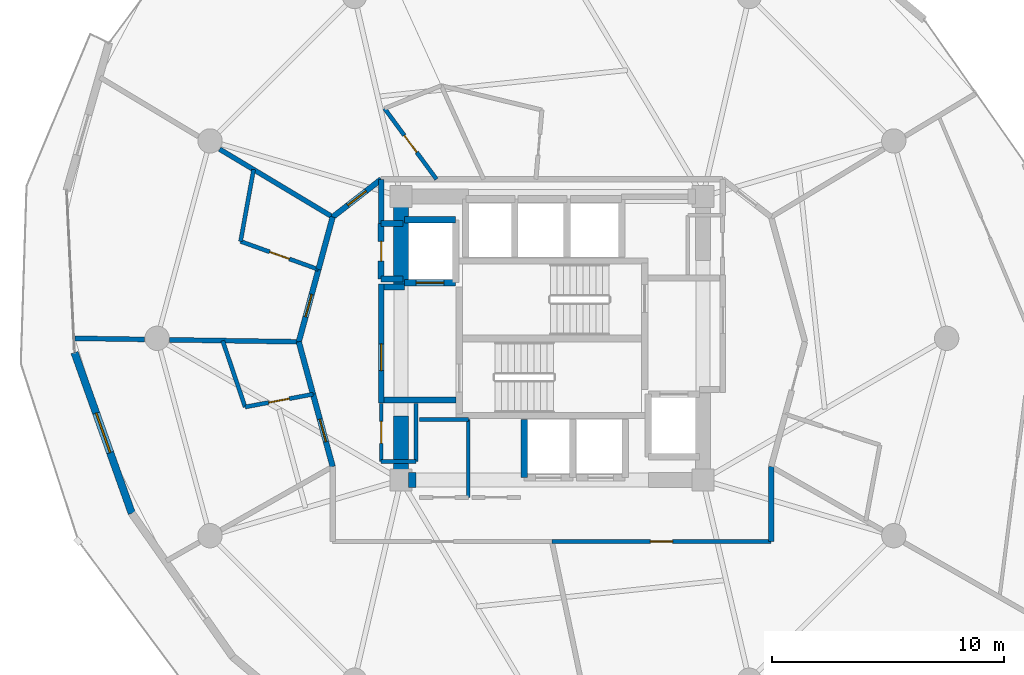
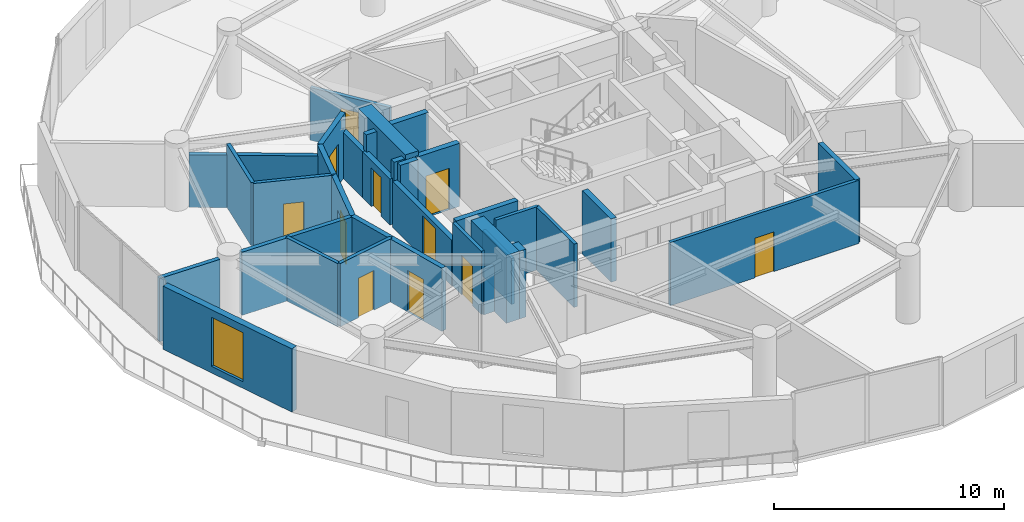
# One storey, part 18 of 22: 34 walls, 11 doors, 1 window, 12 openings.
"""IFC4 building model written with IfcOpenShell, lengths in metres."""

from ifc_helpers import new_model, si_unit, direction, frame, frame_2d, origin, place, context, subcontext, project, spatial, rectangle, extrude, material, layer, layer_set, type_object, element, fill, save


model = new_model("IFC4")

# Units and contexts
model_context = context("Model", 3, precision=1e-05, world=origin(), true_north=direction((0.0, 1.0)))
body_context = subcontext(model_context, "Body", "Model", "MODEL_VIEW")
ifc_project = project(units=[si_unit("LENGTHUNIT", "METRE"), si_unit("AREAUNIT", "SQUARE_METRE"), si_unit("VOLUMEUNIT", "CUBIC_METRE"), si_unit("PLANEANGLEUNIT", "RADIAN"), si_unit("MASSUNIT", "GRAM", prefix="KILO")], contexts=[model_context])

# Site, building, storey
site_placement = place(None, origin())
site = spatial("IfcSite", under=ifc_project, at=site_placement, CompositionType="ELEMENT")
building_placement = place(site_placement, origin())
building = spatial("IfcBuilding", under=site, at=building_placement, Name="Solvirekh Grand Hotel", CompositionType="ELEMENT")
storey_placement = place(building_placement, frame((0.0, 0.0, 153.0)))
storey = spatial("IfcBuildingStorey", under=building, at=storey_placement, Name="L39", CompositionType="ELEMENT", Elevation=153.0)

# Wall
ifc_material_1 = material(Name="Concrete C40/50", Category="concrete")
ifc_layer_1 = layer(ifc_material_1, 0.280029296875)
ifc_layer_set_1 = layer_set([ifc_layer_1], Name="Concrete C40/50")
wall_type_1 = type_object("IfcWallType", Name="CoreShaftWall_RC280", PredefinedType="SOLIDWALL", material=ifc_layer_set_1)
wall_1_placement = place(storey_placement, frame((-1.199951171875, -3.5, 0.0), z_axis=(0.0, 0.0, 1.0), x_axis=(0.0, -1.0, 0.0)))
element("IfcWall", 1, at=wall_1_placement, inside=storey, type_object=wall_type_1, Name="L39 MP-1 hoistway W wall", PredefinedType="SOLIDWALL", context=body_context, shape_type="SweptSolid", body=[
    extrude(rectangle(XDim=2.5, YDim=0.280029296875, at=frame_2d((1.25, 0.0))), origin(), (0.0, 0.0, 1.0), 3.35009765625),
])

# Wall, opening, door
wall_2_placement = place(storey_placement, frame((-6.35009765625, 2.39990234375, 0.0), z_axis=(0.0, 0.0, 1.0), x_axis=(1.0, 0.0, 0.0)))
wall_2 = element("IfcWall", 2, at=wall_2_placement, inside=storey, type_object=wall_type_1, Name="L39 FL-1 hoistway S wall", PredefinedType="SOLIDWALL", context=body_context, shape_type="SweptSolid", body=[
    extrude(rectangle(XDim=2.2001953125, YDim=0.280029296875, at=frame_2d((1.10009765625, 0.0))), origin(), (0.0, 0.0, 1.0), 3.35009765625),
])
opening_1_placement = place(wall_2_placement, frame((0.5, 0.0, 0.0)))
opening_1 = element("IfcOpeningElement", 3, at=opening_1_placement, cuts=wall_2, Name="Opening LD02", PredefinedType="OPENING", context=body_context, shape_type="SweptSolid", body=[
    extrude(rectangle(XDim=1.199951171875, YDim=2.199951171875, at=frame_2d((0.60009765625, 1.10009765625))), frame((0.0, 0.14990234375, 0.0), z_axis=(0.0, -1.0, 0.0), x_axis=(1.0, 0.0, 0.0)), (0.0, 0.0, 1.0), 0.300048828125),
])
ifc_material_2 = material(Name="Fire-Rated Steel Door Assembly", Category="steel")
door_type_1 = type_object("IfcDoorType", Name="Door_LiftFF_1200X2200", OperationType="SLIDING_TO_LEFT", PredefinedType="DOOR", material=ifc_material_2)
door_1_placement = place(opening_1_placement, origin())
door_1 = element("IfcDoor", 4, at=door_1_placement, inside=storey, type_object=door_type_1, Name="L39 FL-1 sliding lift landing door", OperationType="SLIDING_TO_LEFT", OverallHeight=2.199951171875, OverallWidth=1.199951171875, PredefinedType="DOOR", context=body_context, shape_type="SweptSolid", body=[
    extrude(rectangle(XDim=1.199951171875, YDim=2.199951171875, at=frame_2d((0.60009765625, 1.10009765625))), frame((0.0, 0.02490234375, 0.0), z_axis=(0.0, -1.0, 0.0), x_axis=(1.0, 0.0, 0.0)), (0.0, 0.0, 1.0), 0.050048828125),
])
fill(opening_1, door_1)

# Walls
wall_3_placement = place(storey_placement, frame((-4.14990234375, 5.10009765625, 0.0), z_axis=(0.0, 0.0, 1.0), x_axis=(-1.0, 0.0, 0.0)))
element("IfcWall", 5, at=wall_3_placement, inside=storey, type_object=wall_type_1, Name="L39 FL-1 hoistway N wall", PredefinedType="SOLIDWALL", context=body_context, shape_type="SweptSolid", body=[
    extrude(rectangle(XDim=2.2001953125, YDim=0.280029296875, at=frame_2d((1.10009765625, 0.0))), origin(), (0.0, 0.0, 1.0), 3.35009765625),
])
ifc_material_3 = material(Name="Concrete C50/60", Category="concrete")
ifc_layer_2 = layer(ifc_material_3, 0.64990234375)
ifc_layer_set_2 = layer_set([ifc_layer_2], Name="Concrete C50/60")
wall_type_2 = type_object("IfcWallType", Name="CoreWall_RC650", PredefinedType="SHEAR", material=ifc_layer_set_2)
wall_4_placement = place(storey_placement, frame((-6.175048828125, -6.10009765625, 0.0), z_axis=(0.0, 0.0, 1.0), x_axis=(1.0, 0.0, 0.0)))
element("IfcWall", 6, at=wall_4_placement, inside=storey, type_object=wall_type_2, Name="L39 core corner shear wall SW-S", PredefinedType="SHEAR", context=body_context, shape_type="SweptSolid", body=[
    extrude(rectangle(XDim=0.324951171875, YDim=0.64990234375, at=frame_2d((0.16259765625, 0.0))), origin(), (0.0, 0.0, 1.0), 3.60009765625),
])
wall_5_placement = place(storey_placement, frame((-6.5, 2.35009765625, 0.0), z_axis=(0.0, 0.0, 1.0), x_axis=(0.0, 1.0, 0.0)))
element("IfcWall", 7, at=wall_5_placement, inside=storey, type_object=wall_type_2, Name="L39 core corner shear wall WN-W", PredefinedType="SHEAR", context=body_context, shape_type="SweptSolid", body=[
    extrude(rectangle(XDim=4.074951171875, YDim=0.64990234375, at=frame_2d((2.03759765625, 0.0))), origin(), (0.0, 0.0, 1.0), 3.60009765625),
])
wall_6_placement = place(storey_placement, frame((-6.5, -6.425048828125, 0.0), z_axis=(0.0, 0.0, 1.0), x_axis=(0.0, 1.0, 0.0)))
element("IfcWall", 8, at=wall_6_placement, inside=storey, type_object=wall_type_2, Name="L39 core corner shear wall WS-W", PredefinedType="SHEAR", context=body_context, shape_type="SweptSolid", body=[
    extrude(rectangle(XDim=3.074951171875, YDim=0.64990234375, at=frame_2d((1.53759765625, 0.0))), origin(), (0.0, 0.0, 1.0), 3.60009765625),
])

# Wall, opening, window
ifc_material_4 = material(Name="Precast concrete C45/55", Category="concrete")
ifc_layer_3 = layer(ifc_material_4, 0.320068359375)
ifc_layer_set_3 = layer_set([ifc_layer_3], Name="Precast concrete C45/55")
wall_type_3 = type_object("IfcWallType", Name="ExtLobbyWall_RC320", PredefinedType="SOLIDWALL", material=ifc_layer_set_3)
wall_7_placement = place(storey_placement, frame((-18.093017578125, -7.532958984375, 0.0), z_axis=(0.0, 0.0, 1.0), x_axis=(-0.335384656609, 0.942081276808, 0.0)))
wall_7 = element("IfcWall", 9, at=wall_7_placement, inside=storey, type_object=wall_type_3, Name="L39 exterior structural wall chord 14", PredefinedType="SOLIDWALL", context=body_context, shape_type="SweptSolid", body=[
    extrude(rectangle(XDim=7.346435546875, YDim=0.320068359375, at=frame_2d((3.67333984375, 0.0))), origin(), (0.0, 0.0, 1.0), 3.35009765625),
])
opening_2_placement = place(wall_7_placement, frame((2.77294921875, 0.0, 0.35009765625)))
opening_2 = element("IfcOpeningElement", 10, at=opening_2_placement, cuts=wall_7, Name="Opening W02", PredefinedType="OPENING", context=body_context, shape_type="SweptSolid", body=[
    extrude(rectangle(XDim=1.800048828125, YDim=2.60009765625, at=frame_2d((0.89990234375, 1.300048828125))), frame((0.0, 0.169921875, 0.0), z_axis=(0.0, -1.0, 0.0), x_axis=(1.0, 0.0, 0.0)), (0.0, 0.0, 1.0), 0.340087890625),
])
ifc_material_5 = material(Name="Low-E Tinted Bronze Laminated Glass", Category="aluminium")
window_type = type_object("IfcWindowType", Name="Win_LobbyExt_1800X2600", PartitioningType="SINGLE_PANEL", PredefinedType="WINDOW", material=ifc_material_5)
window_placement = place(opening_2_placement, origin())
window = element("IfcWindow", 11, at=window_placement, inside=storey, type_object=window_type, Name="L39 panoramic bronze-framed window 14", OverallHeight=2.60009765625, OverallWidth=1.800048828125, PartitioningType="SINGLE_PANEL", PredefinedType="WINDOW", context=body_context, shape_type="SweptSolid", body=[
    extrude(rectangle(XDim=1.800048828125, YDim=2.60009765625, at=frame_2d((0.89990234375, 1.300048828125))), frame((0.0, 0.030029296875, 0.0), z_axis=(0.0, -1.0, 0.0), x_axis=(1.0, 0.0, 0.0)), (0.0, 0.0, 1.0), 0.06005859375),
])
fill(opening_2, window)

# Walls
ifc_material_6 = material(Name="Acoustic Gypsum Partition Assembly")
ifc_layer_4 = layer(ifc_material_6, 0.1650390625)
ifc_layer_set_4 = layer_set([ifc_layer_4], Name="Acoustic Gypsum Partition Assembly")
wall_type_4 = type_object("IfcWallType", Name="Part_BOH_165", PredefinedType="PARTITIONING", material=ifc_layer_set_4)
wall_8_placement = place(storey_placement, frame((-7.35009765625, -5.300048828125, 0.0), z_axis=(0.0, 0.0, 1.0), x_axis=(1.0, 0.0, 0.0)))
element("IfcWall", 12, at=wall_8_placement, inside=storey, type_object=wall_type_4, Name="L39 L39 Core Linen Store wall 1", PredefinedType="PARTITIONING", context=body_context, shape_type="SweptSolid", body=[
    extrude(rectangle(XDim=1.5, YDim=0.1650390625, at=frame_2d((0.75, 0.0))), origin(), (0.0, 0.0, 1.0), 2.43505859375),
])
wall_9_placement = place(storey_placement, frame((-5.85009765625, -5.300048828125, 0.0), z_axis=(0.0, 0.0, 1.0), x_axis=(0.0, 1.0, 0.0)))
element("IfcWall", 13, at=wall_9_placement, inside=storey, type_object=wall_type_4, Name="L39 L39 Core Linen Store wall 2", PredefinedType="PARTITIONING", context=body_context, shape_type="SweptSolid", body=[
    extrude(rectangle(XDim=2.5, YDim=0.1650390625, at=frame_2d((1.25, 0.0))), origin(), (0.0, 0.0, 1.0), 2.43505859375),
])

# Wall, opening, door
wall_10_placement = place(storey_placement, frame((-7.35009765625, -2.800048828125, 0.0), z_axis=(0.0, 0.0, 1.0), x_axis=(0.0, -1.0, 0.0)))
wall_10 = element("IfcWall", 14, at=wall_10_placement, inside=storey, type_object=wall_type_4, Name="L39 L39 Core Linen Store wall 4", PredefinedType="PARTITIONING", context=body_context, shape_type="SweptSolid", body=[
    extrude(rectangle(XDim=2.5, YDim=0.1650390625, at=frame_2d((1.25, 0.0))), origin(), (0.0, 0.0, 1.0), 3.35009765625),
])
opening_3_placement = place(wall_10_placement, frame((0.77490234375, 0.0, 0.0)))
opening_3 = element("IfcOpeningElement", 15, at=opening_3_placement, cuts=wall_10, Name="Opening D10", PredefinedType="OPENING", context=body_context, shape_type="SweptSolid", body=[
    extrude(rectangle(XDim=0.949951171875, YDim=2.10009765625, at=frame_2d((0.47509765625, 1.050048828125))), frame((0.0, 0.092529296875, 0.0), z_axis=(0.0, -1.0, 0.0), x_axis=(1.0, 0.0, 0.0)), (0.0, 0.0, 1.0), 0.18505859375),
])
ifc_material_7 = material(Name="Anodized Bronze Aluminium 6063-T6", Category="aluminium")
door_type_2 = type_object("IfcDoorType", Name="Door_RoomInt_950X2100", OperationType="NOTDEFINED", PredefinedType="DOOR", material=ifc_material_7)
door_2_placement = place(opening_3_placement, origin())
door_2 = element("IfcDoor", 16, at=door_2_placement, inside=storey, type_object=door_type_2, Name="L39 L39 Core Linen Store door", OperationType="SINGLE_SWING_RIGHT", OverallHeight=2.10009765625, OverallWidth=0.949951171875, PredefinedType="DOOR", context=body_context, shape_type="SweptSolid", body=[
    extrude(rectangle(XDim=0.949951171875, YDim=2.10009765625, at=frame_2d((0.47509765625, 1.050048828125))), frame((0.0, 0.02490234375, 0.0), z_axis=(0.0, -1.0, 0.0), x_axis=(1.0, 0.0, 0.0)), (0.0, 0.0, 1.0), 0.050048828125),
])
fill(opening_3, door_2)

# Walls
wall_11_placement = place(storey_placement, frame((-3.60009765625, -6.85009765625, 0.0), z_axis=(0.0, 0.0, 1.0), x_axis=(0.0, 1.0, 0.0)))
element("IfcWall", 17, at=wall_11_placement, inside=storey, type_object=wall_type_4, Name="L39 Mid-Zone Housekeeping Store wall 2", PredefinedType="PARTITIONING", context=body_context, shape_type="SweptSolid", body=[
    extrude(rectangle(XDim=3.35009765625, YDim=0.1650390625, at=frame_2d((1.675048828125, 0.0))), origin(), (0.0, 0.0, 1.0), 3.35009765625),
])
wall_12_placement = place(storey_placement, frame((-3.60009765625, -3.5, 0.0), z_axis=(0.0, 0.0, 1.0), x_axis=(-1.0, 0.0, 0.0)))
element("IfcWall", 18, at=wall_12_placement, inside=storey, type_object=wall_type_4, Name="L39 Mid-Zone Housekeeping Store wall 3", PredefinedType="PARTITIONING", context=body_context, shape_type="SweptSolid", body=[
    extrude(rectangle(XDim=2.099853515625, YDim=0.1650390625, at=frame_2d((1.0498046875, 0.0))), origin(), (0.0, 0.0, 1.0), 3.35009765625),
])

# Wall, opening, door
wall_13_placement = place(storey_placement, frame((0.0, -8.75, 0.0), z_axis=(0.0, 0.0, 1.0), x_axis=(1.0, 0.0, 0.0)))
wall_13 = element("IfcWall", 19, at=wall_13_placement, inside=storey, type_object=wall_type_4, Name="L39 L39 Butler Valet & Linen Steward Room entrance wall", PredefinedType="PARTITIONING", context=body_context, shape_type="SweptSolid", body=[
    extrude(rectangle(XDim=9.43994140625, YDim=0.1650390625, at=frame_2d((4.719970703125, 0.0))), origin(), (0.0, 0.0, 1.0), 3.35009765625),
])
opening_4_placement = place(wall_13_placement, frame((4.2451171875, 0.0, 0.0)))
opening_4 = element("IfcOpeningElement", 20, at=opening_4_placement, cuts=wall_13, Name="Opening D10", PredefinedType="OPENING", context=body_context, shape_type="SweptSolid", body=[
    extrude(rectangle(XDim=0.949951171875, YDim=2.10009765625, at=frame_2d((0.47509765625, 1.050048828125))), frame((0.0, 0.092529296875, 0.0), z_axis=(0.0, -1.0, 0.0), x_axis=(1.0, 0.0, 0.0)), (0.0, 0.0, 1.0), 0.18505859375),
])
door_3_placement = place(opening_4_placement, origin())
door_3 = element("IfcDoor", 21, at=door_3_placement, inside=storey, type_object=door_type_2, Name="L39 L39 Butler Valet & Linen Steward Room entrance door", OperationType="SINGLE_SWING_LEFT", OverallHeight=2.10009765625, OverallWidth=0.949951171875, PredefinedType="DOOR", context=body_context, shape_type="SweptSolid", body=[
    extrude(rectangle(XDim=0.949951171875, YDim=2.10009765625, at=frame_2d((0.47509765625, 1.050048828125))), frame((0.0, 0.02490234375, 0.0), z_axis=(0.0, -1.0, 0.0), x_axis=(1.0, 0.0, 0.0)), (0.0, 0.0, 1.0), 0.050048828125),
])
fill(opening_4, door_3)

ifc_layer_5 = layer(ifc_material_6, 0.239990234375)
ifc_layer_set_5 = layer_set([ifc_layer_5], Name="Acoustic Gypsum Partition Assembly")
wall_type_5 = type_object("IfcWallType", Name="Part_Corridor_240", PredefinedType="PARTITIONING", material=ifc_layer_set_5)
wall_14_placement = place(storey_placement, frame((-7.35009765625, -2.780029296875, 0.0), z_axis=(0.0, 0.0, 1.0), x_axis=(0.0, 1.0, 0.0)))
wall_14 = element("IfcWall", 22, at=wall_14_placement, inside=storey, type_object=wall_type_5, Name="L39 west firefighting lobby smoke screen wall", PredefinedType="PARTITIONING", context=body_context, shape_type="SweptSolid", body=[
    extrude(rectangle(XDim=5.1201171875, YDim=0.239990234375, at=frame_2d((2.56005859375, 0.0))), origin(), (0.0, 0.0, 1.0), 2.43505859375),
])
opening_5_placement = place(wall_14_placement, frame((1.388916015625, 0.0, 0.0)))
opening_5 = element("IfcOpeningElement", 23, at=opening_5_placement, cuts=wall_14, Name="Opening D06", PredefinedType="OPENING", context=body_context, shape_type="SweptSolid", body=[
    extrude(rectangle(XDim=1.14990234375, YDim=2.199951171875, at=frame_2d((0.574951171875, 1.10009765625))), frame((0.0, 0.1298828125, 0.0), z_axis=(0.0, -1.0, 0.0), x_axis=(1.0, 0.0, 0.0)), (0.0, 0.0, 1.0), 0.260009765625),
])
door_type_3 = type_object("IfcDoorType", Name="Door_FFLobby_1150X2200", OperationType="NOTDEFINED", PredefinedType="DOOR", material=ifc_material_2)
door_4_placement = place(opening_5_placement, origin())
door_4 = element("IfcDoor", 24, at=door_4_placement, inside=storey, type_object=door_type_3, Name="L39 west firefighting lobby smoke door", OperationType="SINGLE_SWING_LEFT", OverallHeight=2.199951171875, OverallWidth=1.14990234375, PredefinedType="DOOR", context=body_context, shape_type="SweptSolid", body=[
    extrude(rectangle(XDim=1.14990234375, YDim=2.199951171875, at=frame_2d((0.574951171875, 1.10009765625))), frame((0.0, 0.02490234375, 0.0), z_axis=(0.0, -1.0, 0.0), x_axis=(1.0, 0.0, 0.0)), (0.0, 0.0, 1.0), 0.050048828125),
])
fill(opening_5, door_4)

# Wall
wall_15_placement = place(storey_placement, frame((-7.35009765625, 4.949951171875, 0.0), z_axis=(0.0, 0.0, 1.0), x_axis=(0.0, 1.0, 0.0)))
element("IfcWall", 25, at=wall_15_placement, inside=storey, type_object=wall_type_5, Name="L39 NW core cheek closure wall", PredefinedType="PARTITIONING", context=body_context, shape_type="SweptSolid", body=[
    extrude(rectangle(XDim=1.900146484375, YDim=0.239990234375, at=frame_2d((0.9501953125, 0.0))), origin(), (0.0, 0.0, 1.0), 2.43505859375),
])

# Wall, opening, door
wall_16_placement = place(storey_placement, frame((-9.43994140625, 5.22509765625, 0.0), z_axis=(0.0, 0.0, 1.0), x_axis=(0.789431664708, 0.613838453306, 0.0)))
wall_16 = element("IfcWall", 26, at=wall_16_placement, inside=storey, type_object=wall_type_5, Name="L39 Deluxe Guestroom 4102 entrance wall", PredefinedType="PARTITIONING", context=body_context, shape_type="SweptSolid", body=[
    extrude(rectangle(XDim=2.647216796875, YDim=0.239990234375, at=frame_2d((1.32373046875, 0.0))), origin(), (0.0, 0.0, 1.0), 3.35009765625),
])
opening_6_placement = place(wall_16_placement, frame((0.823974609375, 0.0, 0.0)))
opening_6 = element("IfcOpeningElement", 27, at=opening_6_placement, cuts=wall_16, Name="Opening D07", PredefinedType="OPENING", context=body_context, shape_type="SweptSolid", body=[
    extrude(rectangle(XDim=1.0, YDim=2.199951171875, at=frame_2d((0.5, 1.10009765625))), frame((0.0, 0.1298828125, 0.0), z_axis=(0.0, -1.0, 0.0), x_axis=(1.0, 0.0, 0.0)), (0.0, 0.0, 1.0), 0.260009765625),
])
door_type_4 = type_object("IfcDoorType", Name="Door_GuestEntry_1000X2200", OperationType="NOTDEFINED", PredefinedType="DOOR", material=ifc_material_2)
door_5_placement = place(opening_6_placement, origin())
door_5 = element("IfcDoor", 28, at=door_5_placement, inside=storey, type_object=door_type_4, Name="L39 Deluxe Guestroom 4102 entrance door", OperationType="SINGLE_SWING_LEFT", OverallHeight=2.199951171875, OverallWidth=1.0, PredefinedType="DOOR", context=body_context, shape_type="SweptSolid", body=[
    extrude(rectangle(XDim=1.0, YDim=2.199951171875, at=frame_2d((0.5, 1.10009765625))), frame((0.0, 0.02490234375, 0.0), z_axis=(0.0, -1.0, 0.0), x_axis=(1.0, 0.0, 0.0)), (0.0, 0.0, 1.0), 0.050048828125),
])
fill(opening_6, door_5)

# Wall
wall_17_placement = place(storey_placement, frame((-9.43994140625, 5.22509765625, 0.0), z_axis=(0.0, 0.0, 1.0), x_axis=(-0.262004776073, -0.965066576623, 0.0)))
element("IfcWall", 29, at=wall_17_placement, inside=storey, type_object=wall_type_5, Name="L39 En-suite Bathroom 4103 corridor backing wall", PredefinedType="PARTITIONING", context=body_context, shape_type="SweptSolid", body=[
    extrude(rectangle(XDim=2.33984375, YDim=0.239990234375, at=frame_2d((1.169921875, 0.0))), origin(), (0.0, 0.0, 1.0), 3.35009765625),
])

# Wall, opening, door
wall_18_placement = place(storey_placement, frame((-10.052978515625, 2.967041015625, 0.0), z_axis=(0.0, 0.0, 1.0), x_axis=(-0.262209089996, -0.965011084456, 0.0)))
wall_18 = element("IfcWall", 30, at=wall_18_placement, inside=storey, type_object=wall_type_5, Name="L39 Deluxe Guestroom 4103 entrance wall", PredefinedType="PARTITIONING", context=body_context, shape_type="SweptSolid", body=[
    extrude(rectangle(XDim=3.22998046875, YDim=0.239990234375, at=frame_2d((1.614990234375, 0.0))), origin(), (0.0, 0.0, 1.0), 3.35009765625),
])
opening_7_placement = place(wall_18_placement, frame((1.114990234375, 0.0, 0.0)))
opening_7 = element("IfcOpeningElement", 31, at=opening_7_placement, cuts=wall_18, Name="Opening D07", PredefinedType="OPENING", context=body_context, shape_type="SweptSolid", body=[
    extrude(rectangle(XDim=1.0, YDim=2.199951171875, at=frame_2d((0.5, 1.10009765625))), frame((0.0, 0.1298828125, 0.0), z_axis=(0.0, -1.0, 0.0), x_axis=(1.0, 0.0, 0.0)), (0.0, 0.0, 1.0), 0.260009765625),
])
door_6_placement = place(opening_7_placement, origin())
door_6 = element("IfcDoor", 32, at=door_6_placement, inside=storey, type_object=door_type_4, Name="L39 Deluxe Guestroom 4103 entrance door", OperationType="SINGLE_SWING_LEFT", OverallHeight=2.199951171875, OverallWidth=1.0, PredefinedType="DOOR", context=body_context, shape_type="SweptSolid", body=[
    extrude(rectangle(XDim=1.0, YDim=2.199951171875, at=frame_2d((0.5, 1.10009765625))), frame((0.0, 0.02490234375, 0.0), z_axis=(0.0, -1.0, 0.0), x_axis=(1.0, 0.0, 0.0)), (0.0, 0.0, 1.0), 0.050048828125),
])
fill(opening_7, door_6)

# Wall
wall_19_placement = place(storey_placement, frame((-10.89990234375, -0.14990234375, 0.0), z_axis=(0.0, 0.0, 1.0), x_axis=(0.262013132791, -0.965064307829, 0.0)))
element("IfcWall", 33, at=wall_19_placement, inside=storey, type_object=wall_type_5, Name="L39 En-suite Bathroom 4104 corridor backing wall", PredefinedType="PARTITIONING", context=body_context, shape_type="SweptSolid", body=[
    extrude(rectangle(XDim=2.3388671875, YDim=0.239990234375, at=frame_2d((1.16943359375, 0.0))), origin(), (0.0, 0.0, 1.0), 3.35009765625),
])

# Wall, opening, door
wall_20_placement = place(storey_placement, frame((-10.287109375, -2.406982421875, 0.0), z_axis=(0.0, 0.0, 1.0), x_axis=(0.262202977539, -0.965012745289, 0.0)))
wall_20 = element("IfcWall", 34, at=wall_20_placement, inside=storey, type_object=wall_type_5, Name="L39 Deluxe Guestroom 4104 entrance wall", PredefinedType="PARTITIONING", context=body_context, shape_type="SweptSolid", body=[
    extrude(rectangle(XDim=3.23095703125, YDim=0.239990234375, at=frame_2d((1.615478515625, 0.0))), origin(), (0.0, 0.0, 1.0), 3.35009765625),
])
opening_8_placement = place(wall_20_placement, frame((1.114990234375, 0.0, 0.0)))
opening_8 = element("IfcOpeningElement", 35, at=opening_8_placement, cuts=wall_20, Name="Opening D07", PredefinedType="OPENING", context=body_context, shape_type="SweptSolid", body=[
    extrude(rectangle(XDim=1.0, YDim=2.199951171875, at=frame_2d((0.5, 1.10009765625))), frame((0.0, 0.1298828125, 0.0), z_axis=(0.0, -1.0, 0.0), x_axis=(1.0, 0.0, 0.0)), (0.0, 0.0, 1.0), 0.260009765625),
])
door_7_placement = place(opening_8_placement, origin())
door_7 = element("IfcDoor", 36, at=door_7_placement, inside=storey, type_object=door_type_4, Name="L39 Deluxe Guestroom 4104 entrance door", OperationType="SINGLE_SWING_LEFT", OverallHeight=2.199951171875, OverallWidth=1.0, PredefinedType="DOOR", context=body_context, shape_type="SweptSolid", body=[
    extrude(rectangle(XDim=1.0, YDim=2.199951171875, at=frame_2d((0.5, 1.10009765625))), frame((0.0, 0.02490234375, 0.0), z_axis=(0.0, -1.0, 0.0), x_axis=(1.0, 0.0, 0.0)), (0.0, 0.0, 1.0), 0.050048828125),
])
fill(opening_8, door_7)

# Walls
wall_21_placement = place(storey_placement, frame((9.43994140625, -8.75, 0.0), z_axis=(0.0, 0.0, 1.0), x_axis=(0.0, 1.0, 0.0)))
element("IfcWall", 37, at=wall_21_placement, inside=storey, type_object=wall_type_5, Name="L39 L39 Butler Valet & Linen Steward Room corridor wall 1", PredefinedType="PARTITIONING", context=body_context, shape_type="SweptSolid", body=[
    extrude(rectangle(XDim=3.22509765625, YDim=0.239990234375, at=frame_2d((1.612548828125, 0.0))), origin(), (0.0, 0.0, 1.0), 3.35009765625),
])
ifc_layer_6 = layer(ifc_material_6, 0.260009765625)
ifc_layer_set_6 = layer_set([ifc_layer_6], Name="Acoustic Gypsum Partition Assembly")
wall_type_6 = type_object("IfcWallType", Name="Part_LobbyFF_260", PredefinedType="PARTITIONING", material=ifc_layer_set_6)
wall_22_placement = place(storey_placement, frame((-7.22509765625, -2.64990234375, 0.0), z_axis=(0.0, 0.0, 1.0), x_axis=(1.0, 0.0, 0.0)))
element("IfcWall", 38, at=wall_22_placement, inside=storey, type_object=wall_type_6, Name="L39 west firefighting lobby south partition", PredefinedType="PARTITIONING", context=body_context, shape_type="SweptSolid", body=[
    extrude(rectangle(XDim=3.09521484375, YDim=0.260009765625, at=frame_2d((1.547607421875, 0.0))), origin(), (0.0, 0.0, 1.0), 3.35009765625),
])
wall_23_placement = place(storey_placement, frame((-7.22509765625, 2.2099609375, 0.0), z_axis=(0.0, 0.0, 1.0), x_axis=(1.0, 0.0, 0.0)))
element("IfcWall", 39, at=wall_23_placement, inside=storey, type_object=wall_type_6, Name="L39 west firefighting lobby NW cheek", PredefinedType="PARTITIONING", context=body_context, shape_type="SweptSolid", body=[
    extrude(rectangle(XDim=0.875, YDim=0.260009765625, at=frame_2d((0.4375, 0.0))), origin(), (0.0, 0.0, 1.0), 3.35009765625),
])
for number, where, z_axis, x_axis, name in (
    (40, (-7.35009765625, 4.949951171875, 0.0), (0.0, 0.0, 1.0), (1.0, 0.0, 0.0), "L39 NW telecom metering cupboard north wall"),
    (41, (-7.35009765625, 2.550048828125, 0.0), (0.0, 0.0, 1.0), (1.0, 0.0, 0.0), "L39 NW telecom metering cupboard south wall"),
):
    element("IfcWall", number, at=place(storey_placement, frame(where, z_axis=z_axis, x_axis=x_axis)), inside=storey, type_object=wall_type_6, Name=name, PredefinedType="PARTITIONING", context=body_context, shape_type="SweptSolid", body=[
        extrude(rectangle(XDim=0.93017578125, YDim=0.260009765625, at=frame_2d((0.465087890625, 0.0))), origin(), (0.0, 0.0, 1.0), 3.35009765625),
    ])

# Wall, opening, door
wall_24_placement = place(storey_placement, frame((-7.35009765625, 2.550048828125, 0.0), z_axis=(0.0, 0.0, 1.0), x_axis=(0.0, 1.0, 0.0)))
wall_24 = element("IfcWall", 42, at=wall_24_placement, inside=storey, type_object=wall_type_6, Name="L39 NW telecom metering cupboard access wall", PredefinedType="PARTITIONING", context=body_context, shape_type="SweptSolid", body=[
    extrude(rectangle(XDim=2.39990234375, YDim=0.260009765625, at=frame_2d((1.199951171875, 0.0))), origin(), (0.0, 0.0, 1.0), 2.43505859375),
])
opening_9_placement = place(wall_24_placement, frame((0.77490234375, 0.0, 0.0)))
opening_9 = element("IfcOpeningElement", 43, at=opening_9_placement, cuts=wall_24, Name="Opening D13", PredefinedType="OPENING", context=body_context, shape_type="SweptSolid", body=[
    extrude(rectangle(XDim=0.85009765625, YDim=2.050048828125, at=frame_2d((0.425048828125, 1.02490234375))), frame((0.0, 0.14013671875, 0.0), z_axis=(0.0, -1.0, 0.0), x_axis=(1.0, 0.0, 0.0)), (0.0, 0.0, 1.0), 0.280029296875),
])
door_type_5 = type_object("IfcDoorType", Name="Door_RiserShaft_850X2050", OperationType="NOTDEFINED", PredefinedType="DOOR", material=ifc_material_2)
door_8_placement = place(opening_9_placement, origin())
door_8 = element("IfcDoor", 44, at=door_8_placement, inside=storey, type_object=door_type_5, Name="L39 telecom metering cupboard access door", OperationType="SINGLE_SWING_LEFT", OverallHeight=2.050048828125, OverallWidth=0.85009765625, PredefinedType="DOOR", context=body_context, shape_type="SweptSolid", body=[
    extrude(rectangle(XDim=0.85009765625, YDim=2.050048828125, at=frame_2d((0.425048828125, 1.02490234375))), frame((0.0, 0.02490234375, 0.0), z_axis=(0.0, -1.0, 0.0), x_axis=(1.0, 0.0, 0.0)), (0.0, 0.0, 1.0), 0.050048828125),
])
fill(opening_9, door_8)

# Walls
ifc_layer_7 = layer(ifc_material_6, 0.2099609375)
ifc_layer_set_7 = layer_set([ifc_layer_7], Name="Acoustic Gypsum Partition Assembly")
wall_type_7 = type_object("IfcWallType", Name="Part_SuiteDemise_210", PredefinedType="PARTITIONING", material=ifc_layer_set_7)
wall_25_placement = place(storey_placement, frame((-9.43994140625, 5.22509765625, 0.0), z_axis=(0.0, 0.0, 1.0), x_axis=(-0.857568811906, 0.514369257291, 0.0)))
element("IfcWall", 45, at=wall_25_placement, inside=storey, type_object=wall_type_7, Name="L39 suite radial wall 6 (A)", PredefinedType="PARTITIONING", context=body_context, shape_type="SweptSolid", body=[
    extrude(rectangle(XDim=5.6767578125, YDim=0.2099609375, at=frame_2d((2.83837890625, 0.0))), origin(), (0.0, 0.0, 1.0), 2.791015625),
])
wall_26_placement = place(storey_placement, frame((-10.89990234375, -0.14990234375, 0.0), z_axis=(0.0, 0.0, 1.0), x_axis=(-0.999880532043, 0.01545709035, 0.0)))
element("IfcWall", 46, at=wall_26_placement, inside=storey, type_object=wall_type_7, Name="L39 suite radial wall 7 (A)", PredefinedType="PARTITIONING", context=body_context, shape_type="SweptSolid", body=[
    extrude(rectangle(XDim=5.559814453125, YDim=0.2099609375, at=frame_2d((2.77978515625, 0.0))), origin(), (0.0, 0.0, 1.0), 3.35009765625),
])
wall_27_placement = place(storey_placement, frame((-17.54296875, -0.047119140625, 0.0), z_axis=(0.0, 0.0, 1.0), x_axis=(-0.999877018081, 0.015682752092, 0.0)))
element("IfcWall", 47, at=wall_27_placement, inside=storey, type_object=wall_type_7, Name="L39 suite radial wall 7 (B)", PredefinedType="PARTITIONING", context=body_context, shape_type="SweptSolid", body=[
    extrude(rectangle(XDim=3.004638671875, YDim=0.2099609375, at=frame_2d((1.50244140625, 0.0))), origin(), (0.0, 0.0, 1.0), 3.35009765625),
])

# Wall, opening, door
ifc_layer_8 = layer(ifc_material_6, 0.175048828125)
ifc_layer_set_8 = layer_set([ifc_layer_8], Name="Acoustic Gypsum Partition Assembly")
wall_type_8 = type_object("IfcWallType", Name="Plumb_Ensuite_175", PredefinedType="PLUMBINGWALL", material=ifc_layer_set_8)
wall_28_placement = place(storey_placement, frame((-7.20703125, 9.89990234375, 0.0), z_axis=(0.0, 0.0, 1.0), x_axis=(0.591623838384, -0.806214136477, 0.0)))
wall_28 = element("IfcWall", 48, at=wall_28_placement, inside=storey, type_object=wall_type_8, Name="L39 En-suite Bathroom 4102 entry plumbing wall", PredefinedType="PLUMBINGWALL", context=body_context, shape_type="SweptSolid", body=[
    extrude(rectangle(XDim=3.782958984375, YDim=0.175048828125, at=frame_2d((1.8916015625, 0.0))), origin(), (0.0, 0.0, 1.0), 2.791015625),
])
opening_10_placement = place(wall_28_placement, frame((1.44189453125, 0.0, 0.0)))
opening_10 = element("IfcOpeningElement", 49, at=opening_10_placement, cuts=wall_28, Name="Opening D09", PredefinedType="OPENING", context=body_context, shape_type="SweptSolid", body=[
    extrude(rectangle(XDim=0.89990234375, YDim=2.10009765625, at=frame_2d((0.449951171875, 1.050048828125))), frame((0.0, 0.09765625, 0.0), z_axis=(0.0, -1.0, 0.0), x_axis=(1.0, 0.0, 0.0)), (0.0, 0.0, 1.0), 0.195068359375),
])
door_type_6 = type_object("IfcDoorType", Name="Door_Ensuite_900X2100", OperationType="NOTDEFINED", PredefinedType="DOOR", material=ifc_material_7)
door_9_placement = place(opening_10_placement, origin())
door_9 = element("IfcDoor", 50, at=door_9_placement, inside=storey, type_object=door_type_6, Name="L39 En-suite Bathroom 4102 door", OperationType="SINGLE_SWING_RIGHT", OverallHeight=2.10009765625, OverallWidth=0.89990234375, PredefinedType="DOOR", context=body_context, shape_type="SweptSolid", body=[
    extrude(rectangle(XDim=0.89990234375, YDim=2.10009765625, at=frame_2d((0.449951171875, 1.050048828125))), frame((0.0, 0.02490234375, 0.0), z_axis=(0.0, -1.0, 0.0), x_axis=(1.0, 0.0, 0.0)), (0.0, 0.0, 1.0), 0.050048828125),
])
fill(opening_10, door_9)

# Wall
wall_29_placement = place(storey_placement, frame((-12.846923828125, 7.26904296875, 0.0), z_axis=(0.0, 0.0, 1.0), x_axis=(-0.178065684041, -0.984018603568, 0.0)))
element("IfcWall", 51, at=wall_29_placement, inside=storey, type_object=wall_type_8, Name="L39 En-suite Bathroom 4103 outer plumbing wall", PredefinedType="PLUMBINGWALL", context=body_context, shape_type="SweptSolid", body=[
    extrude(rectangle(XDim=3.145263671875, YDim=0.175048828125, at=frame_2d((1.57275390625, 0.0))), origin(), (0.0, 0.0, 1.0), 3.35009765625),
])

# Wall, opening, door
wall_30_placement = place(storey_placement, frame((-10.052978515625, 2.967041015625, 0.0), z_axis=(0.0, 0.0, 1.0), x_axis=(-0.940924076968, 0.338617603474, 0.0)))
wall_30 = element("IfcWall", 52, at=wall_30_placement, inside=storey, type_object=wall_type_8, Name="L39 En-suite Bathroom 4103 entry plumbing wall", PredefinedType="PLUMBINGWALL", context=body_context, shape_type="SweptSolid", body=[
    extrude(rectangle(XDim=3.564697265625, YDim=0.175048828125, at=frame_2d((1.7822265625, 0.0))), origin(), (0.0, 0.0, 1.0), 3.35009765625),
])
opening_11_placement = place(wall_30_placement, frame((1.33203125, 0.0, 0.0)))
opening_11 = element("IfcOpeningElement", 53, at=opening_11_placement, cuts=wall_30, Name="Opening D09", PredefinedType="OPENING", context=body_context, shape_type="SweptSolid", body=[
    extrude(rectangle(XDim=0.89990234375, YDim=2.10009765625, at=frame_2d((0.449951171875, 1.050048828125))), frame((0.0, 0.09765625, 0.0), z_axis=(0.0, -1.0, 0.0), x_axis=(1.0, 0.0, 0.0)), (0.0, 0.0, 1.0), 0.195068359375),
])
door_10_placement = place(opening_11_placement, origin())
door_10 = element("IfcDoor", 54, at=door_10_placement, inside=storey, type_object=door_type_6, Name="L39 En-suite Bathroom 4103 door", OperationType="SINGLE_SWING_RIGHT", OverallHeight=2.10009765625, OverallWidth=0.89990234375, PredefinedType="DOOR", context=body_context, shape_type="SweptSolid", body=[
    extrude(rectangle(XDim=0.89990234375, YDim=2.10009765625, at=frame_2d((0.449951171875, 1.050048828125))), frame((0.0, 0.02490234375, 0.0), z_axis=(0.0, -1.0, 0.0), x_axis=(1.0, 0.0, 0.0)), (0.0, 0.0, 1.0), 0.050048828125),
])
fill(opening_11, door_10)

# Wall
wall_31_placement = place(storey_placement, frame((-14.179931640625, -0.09912109375, 0.0), z_axis=(0.0, 0.0, 1.0), x_axis=(0.320811716501, -0.947142989498, 0.0)))
element("IfcWall", 55, at=wall_31_placement, inside=storey, type_object=wall_type_8, Name="L39 En-suite Bathroom 4104 outer plumbing wall", PredefinedType="PLUMBINGWALL", context=body_context, shape_type="SweptSolid", body=[
    extrude(rectangle(XDim=3.017333984375, YDim=0.175048828125, at=frame_2d((1.5087890625, 0.0))), origin(), (0.0, 0.0, 1.0), 3.35009765625),
])

# Wall, opening, door
wall_32_placement = place(storey_placement, frame((-10.287109375, -2.406982421875, 0.0), z_axis=(0.0, 0.0, 1.0), x_axis=(-0.982771742743, -0.184823433756, 0.0)))
wall_32 = element("IfcWall", 56, at=wall_32_placement, inside=storey, type_object=wall_type_8, Name="L39 En-suite Bathroom 4104 entry plumbing wall", PredefinedType="PLUMBINGWALL", context=body_context, shape_type="SweptSolid", body=[
    extrude(rectangle(XDim=2.97607421875, YDim=0.175048828125, at=frame_2d((1.488037109375, 0.0))), origin(), (0.0, 0.0, 1.0), 3.35009765625),
])
opening_12_placement = place(wall_32_placement, frame((1.0380859375, 0.0, 0.0)))
opening_12 = element("IfcOpeningElement", 57, at=opening_12_placement, cuts=wall_32, Name="Opening D09", PredefinedType="OPENING", context=body_context, shape_type="SweptSolid", body=[
    extrude(rectangle(XDim=0.89990234375, YDim=2.10009765625, at=frame_2d((0.449951171875, 1.050048828125))), frame((0.0, 0.09765625, 0.0), z_axis=(0.0, -1.0, 0.0), x_axis=(1.0, 0.0, 0.0)), (0.0, 0.0, 1.0), 0.195068359375),
])
door_11_placement = place(opening_12_placement, origin())
door_11 = element("IfcDoor", 58, at=door_11_placement, inside=storey, type_object=door_type_6, Name="L39 En-suite Bathroom 4104 door", OperationType="SINGLE_SWING_RIGHT", OverallHeight=2.10009765625, OverallWidth=0.89990234375, PredefinedType="DOOR", context=body_context, shape_type="SweptSolid", body=[
    extrude(rectangle(XDim=0.89990234375, YDim=2.10009765625, at=frame_2d((0.449951171875, 1.050048828125))), frame((0.0, 0.02490234375, 0.0), z_axis=(0.0, -1.0, 0.0), x_axis=(1.0, 0.0, 0.0)), (0.0, 0.0, 1.0), 0.050048828125),
])
fill(opening_12, door_11)

save(model, "model.ifc")
